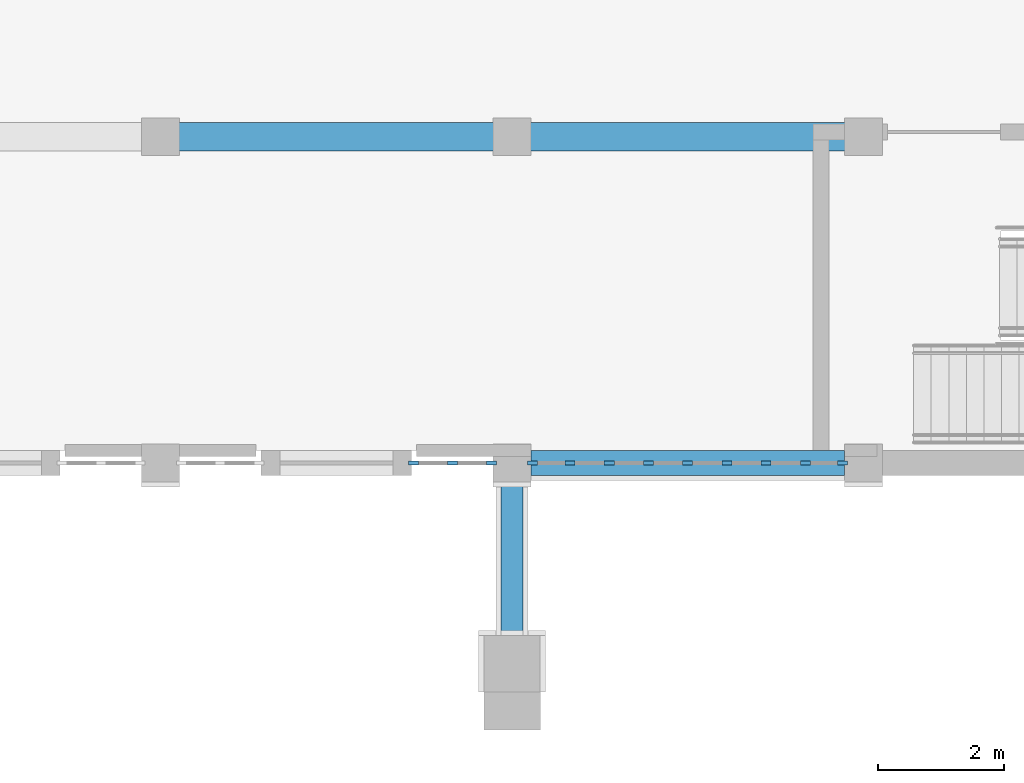
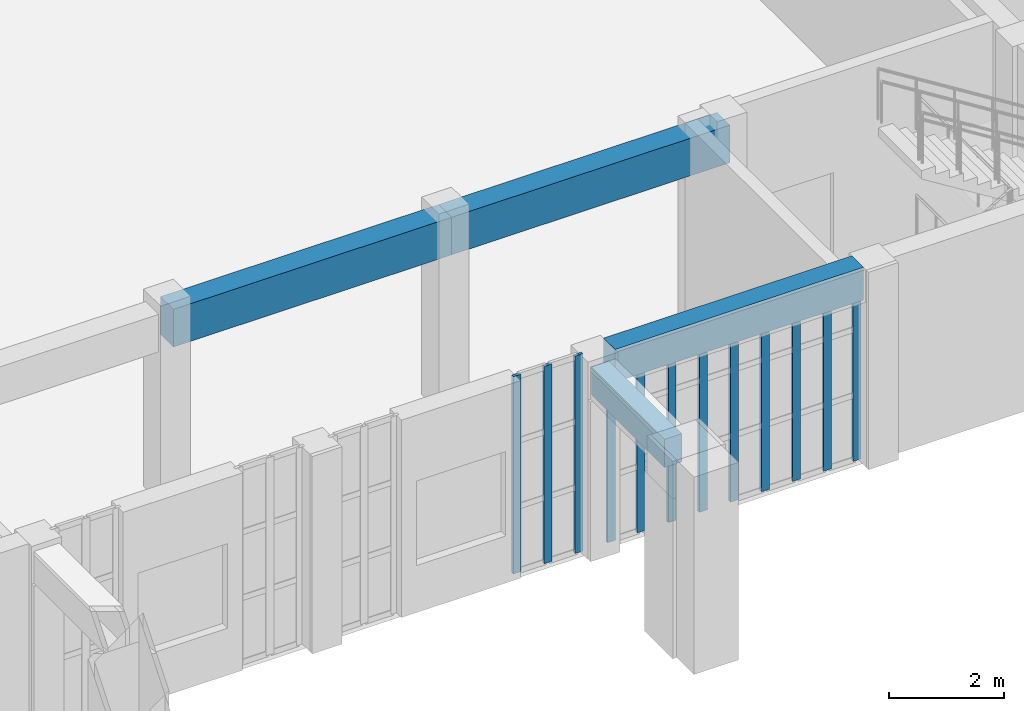
# One storey, part 31 of 99: 12 members, 4 beams, 2 elements without a shape of their own.
"""IFC4 building model written with IfcOpenShell, lengths in metres."""

import ifcopenshell
import ifcopenshell.guid

model = None  # the IFC model being written
_history = None  # IfcOwnerHistory: only IFC2X3 demands one
_inside = {}  # id of a spatial element -> (the spatial element, [elements in it])
_under = {}  # id of a project, library or spatial element -> (it, [spatial elements below it])
_declared = {}  # id of a project -> (the project, [libraries it declares])
_typed = {}  # id of a type object -> (the type object, [elements of that type])
_made_of = {}  # id of a material, layer set ... -> (it, [elements and type objects made of it])


def new_model(schema):
    """Start an empty IFC model of exactly this schema.

    Asked for "IFC4X3", IfcOpenShell would pick the latest addendum, in which some entities
    have other attributes; the version numbers below select the first issue.
    IFC2X3 requires an IfcOwnerHistory on every rooted entity: one is made here for all.
    """
    global model, _history
    if schema == "IFC4X3":
        model = ifcopenshell.file(schema_version=(4, 3, 0, 0))
    else:
        model = ifcopenshell.file(schema=schema)
    _inside.clear()
    _under.clear()
    _declared.clear()
    _typed.clear()
    _made_of.clear()
    _history = None
    if model.schema == "IFC2X3":
        org = make("IfcOrganization", Name="unknown")
        user = make(
            "IfcPersonAndOrganization",
            ThePerson=make("IfcPerson", FamilyName="unknown"),
            TheOrganization=org,
        )
        app = make(
            "IfcApplication",
            ApplicationDeveloper=org,
            Version="unknown",
            ApplicationFullName="unknown",
            ApplicationIdentifier="unknown",
        )
        _history = make(
            "IfcOwnerHistory",
            OwningUser=user,
            OwningApplication=app,
            ChangeAction="ADDED",
            CreationDate=0,
        )
    return model


def make(cls, **values):
    """One entity of the class cls with the attributes given. An attribute that is None is left unset."""
    return model.create_entity(
        cls, **{name: value for name, value in values.items() if value is not None}
    )


def rooted(cls, **values):
    """An entity with a GlobalId (a new one), such as an element, a storey or a relation."""
    return make(cls, GlobalId=ifcopenshell.guid.new(), OwnerHistory=_history, **values)


def si_unit(unit_type, name, prefix=None):
    """IfcSIUnit, for example si_unit("LENGTHUNIT", "METRE", prefix="MILLI")."""
    return make("IfcSIUnit", UnitType=unit_type, Prefix=prefix, Name=name)


def assignment(units):
    """IfcUnitAssignment: the units of a project."""
    return None if units is None else make("IfcUnitAssignment", Units=units)


def point(xyz):
    """IfcCartesianPoint."""
    return None if xyz is None else make("IfcCartesianPoint", Coordinates=xyz)


def direction(xyz):
    """IfcDirection."""
    return None if xyz is None else make("IfcDirection", DirectionRatios=xyz)


def frame(location, z_axis=None, x_axis=None):
    """IfcAxis2Placement3D, a coordinate frame: its origin and axes. An axis left out is left unset."""
    return make(
        "IfcAxis2Placement3D",
        Location=point(location),
        Axis=direction(z_axis),
        RefDirection=direction(x_axis),
    )


def frame_2d(location, x_axis=None):
    """IfcAxis2Placement2D, a coordinate frame in the plane: its origin and x axis."""
    return make(
        "IfcAxis2Placement2D", Location=point(location), RefDirection=direction(x_axis)
    )


def origin():
    """The frame at (0, 0, 0) with its axes left unset."""
    return frame((0.0, 0.0, 0.0))


def origin_2d():
    """The frame at (0, 0) in the plane with its x axis left unset."""
    return frame_2d((0.0, 0.0))


def place(relative_to, where):
    """IfcLocalPlacement: puts the frame where relative to a parent placement (None: the world)."""
    return make(
        "IfcLocalPlacement", PlacementRelTo=relative_to, RelativePlacement=where
    )


def context(
    kind, dimensions, precision=None, world=None, true_north=None, identifier=None
):
    """IfcGeometricRepresentationContext, for example the 3D "Model" context."""
    return make(
        "IfcGeometricRepresentationContext",
        ContextIdentifier=identifier,
        ContextType=kind,
        CoordinateSpaceDimension=dimensions,
        Precision=precision,
        WorldCoordinateSystem=world,
        TrueNorth=true_north,
    )


def subcontext(parent, identifier, kind, view, scale=None):
    """IfcGeometricRepresentationSubContext, for example "Body" below "Model"."""
    return make(
        "IfcGeometricRepresentationSubContext",
        ContextIdentifier=identifier,
        ContextType=kind,
        ParentContext=parent,
        TargetScale=scale,
        TargetView=view,
    )


def project(units=None, contexts=None):
    """IfcProject with its units and contexts."""
    return rooted(
        "IfcProject",
        Name="project",
        RepresentationContexts=contexts,
        UnitsInContext=assignment(units),
    )


def spatial(cls, under=None, at=None, **own):
    """A site, building, storey or space (cls), placed at a placement, below another one or the project."""
    s = rooted(cls, ObjectPlacement=at, **own)
    if under is not None:
        _under.setdefault(under.id(), (under, []))[1].append(s)
    return s


def profile(cls, at=None, kind="AREA", **sizes):
    """A parametric profile (cls). Its sizes go by their IFC names, for example OverallWidth=200.0."""
    return make(cls, ProfileType=kind, Position=at, **sizes)


def rectangle(**sizes):
    """IfcRectangleProfileDef."""
    return profile("IfcRectangleProfileDef", **sizes)


def extrude(swept, where, along, depth):
    """IfcExtrudedAreaSolid: the profile swept, set in the frame where, extruded along a direction by depth."""
    return make(
        "IfcExtrudedAreaSolid",
        SweptArea=swept,
        Position=where,
        ExtrudedDirection=direction(along),
        Depth=depth,
    )


def shape(context_of_items, identifier, shape_type, items):
    """IfcShapeRepresentation: the items that make up one representation, for example the "Body"."""
    return make(
        "IfcShapeRepresentation",
        ContextOfItems=context_of_items,
        RepresentationIdentifier=identifier,
        RepresentationType=shape_type,
        Items=items,
    )


def material(Name=None, Category=None):
    """IfcMaterial."""
    return make("IfcMaterial", Name=Name, Category=Category)


def layer(
    of_material, thickness, ventilated=None, Name=None, Category=None, Priority=None
):
    """IfcMaterialLayer: one layer of a wall or slab, of a material (None: an air gap)."""
    return make(
        "IfcMaterialLayer",
        Material=of_material,
        LayerThickness=thickness,
        IsVentilated=ventilated,
        Name=Name,
        Category=Category,
        Priority=Priority,
    )


def layer_set(layers, Name=None):
    """IfcMaterialLayerSet."""
    return make("IfcMaterialLayerSet", MaterialLayers=layers, LayerSetName=Name)


def material_profile(
    of_material, cross_section, Name=None, Category=None, Priority=None
):
    """IfcMaterialProfile: a cross section and its material."""
    return make(
        "IfcMaterialProfile",
        Name=Name,
        Material=of_material,
        Profile=cross_section,
        Priority=Priority,
        Category=Category,
    )


def profile_set(profiles, Name=None, composite=None):
    """IfcMaterialProfileSet."""
    return make(
        "IfcMaterialProfileSet",
        Name=Name,
        MaterialProfiles=profiles,
        CompositeProfile=composite,
    )


def made_of(thing, what):
    """Note that an element or type object is made of a material, layer set ...; save() writes the relation."""
    if what is not None:
        _made_of.setdefault(what.id(), (what, []))[1].append(thing)
    return thing


def type_object(cls, material=None, **own):
    """A type object (cls), such as IfcWallType, which elements share."""
    return made_of(rooted(cls, **own), material)


def element(
    cls,
    number,
    at=None,
    inside=None,
    cuts=None,
    type_object=None,
    material=None,
    context=None,
    identifier="Body",
    shape_type=None,
    held_by="IfcProductDefinitionShape",
    body=None,
    shapes=None,
    **own,
):
    """One element of the class cls, such as IfcWall. Its Tag is "e" and its number.

    at: its placement. inside: the storey or other place that contains it. cuts: it is an
    opening in that element (IfcRelVoidsElement). A single representation is given by context,
    identifier, shape_type and body (its items); several are given by shapes. held_by: the class
    of the entity that holds the representations. save() writes the other relations.
    """
    e = rooted(cls, Tag="e%d" % number, ObjectPlacement=at, **own)
    if body is not None:
        shapes = [shape(context, identifier, shape_type, body)]
    if shapes is not None:
        e.Representation = make(held_by, Representations=shapes)
    if inside is not None:
        _inside.setdefault(inside.id(), (inside, []))[1].append(e)
    if cuts is not None:
        rooted(
            "IfcRelVoidsElement", RelatingBuildingElement=cuts, RelatedOpeningElement=e
        )
    if type_object is not None:
        _typed.setdefault(type_object.id(), (type_object, []))[1].append(e)
    return made_of(e, material)


def aggregate(whole, parts):
    """IfcRelAggregates: a whole, such as a stair, and the parts it consists of."""
    return rooted("IfcRelAggregates", RelatingObject=whole, RelatedObjects=parts)


def save(model, path):
    """Write the relations noted so far, then the file.

    IfcRelAggregates (storeys below a building ...), IfcRelContainedInSpatialStructure (elements
    in a storey), IfcRelDefinesByType, IfcRelAssociatesMaterial and IfcRelDeclares: one each for
    every whole, place, type object, material and project.
    """
    for whole, parts in _under.values():
        aggregate(whole, parts)
    for where, things in _inside.values():
        rooted(
            "IfcRelContainedInSpatialStructure",
            RelatedElements=things,
            RelatingStructure=where,
        )
    for kind, things in _typed.values():
        rooted("IfcRelDefinesByType", RelatedObjects=things, RelatingType=kind)
    for what, things in _made_of.values():
        rooted("IfcRelAssociatesMaterial", RelatedObjects=things, RelatingMaterial=what)
    for by, libraries in _declared.values():
        rooted("IfcRelDeclares", RelatingContext=by, RelatedDefinitions=libraries)
    model.write(path)


model = new_model("IFC4")

# Units and contexts
model_context = context("Model", 3, precision=1e-05, world=origin(), true_north=direction((0.0, 1.0)))
body_context = subcontext(model_context, "Body", "Model", "MODEL_VIEW")
ifc_project = project(units=[si_unit("LENGTHUNIT", "METRE"), si_unit("AREAUNIT", "SQUARE_METRE"), si_unit("VOLUMEUNIT", "CUBIC_METRE"), si_unit("PLANEANGLEUNIT", "RADIAN"), si_unit("MASSUNIT", "GRAM", prefix="KILO")], contexts=[model_context])

# Site, building, storey
site_placement = place(None, origin())
site = spatial("IfcSite", under=ifc_project, at=site_placement, CompositionType="ELEMENT")
building_placement = place(site_placement, origin())
building = spatial("IfcBuilding", under=site, at=building_placement, Name="Wasatch Bagh Community Centre", CompositionType="ELEMENT")
storey_placement = place(building_placement, frame((0.0, 0.0, 4.199951171875)))
storey = spatial("IfcBuildingStorey", under=building, at=storey_placement, Name="L01", CompositionType="ELEMENT", Elevation=4.199951171875)

# Beams
ifc_material_1 = material(Name="Concrete C35", Category="concrete")
ifc_material_profile_1 = material_profile(ifc_material_1, rectangle(XDim=0.35009765625, YDim=0.60009765625, at=origin_2d()), Name="RC 350x600")
ifc_profile_set_1 = profile_set([ifc_material_profile_1], Name="Concrete C35")
beam_type_1 = type_object("IfcBeamType", Name="CL-B4", PredefinedType="BEAM", material=ifc_profile_set_1)
beam_1_placement = place(storey_placement, frame((134.60009765625, 38.0, 3.699951171875), z_axis=(0.0, -1.0, 0.0), x_axis=(1.0, 0.0, 0.0)))
element("IfcBeam", 1, at=beam_1_placement, inside=storey, type_object=beam_type_1, Name="CL-B4 tie SHP2.2", PredefinedType="BEAM", context=body_context, shape_type="SweptSolid", body=[
    extrude(rectangle(XDim=0.35009765625, YDim=0.60009765625, at=origin_2d()), origin(), (0.0, 0.0, 1.0), 2.550048828125),
])
ifc_material_profile_2 = material_profile(ifc_material_1, rectangle(XDim=0.39990234375, YDim=0.699951171875, at=origin_2d()), Name="RC 400x700")
ifc_profile_set_2 = profile_set([ifc_material_profile_2], Name="Concrete C35")
beam_type_2 = type_object("IfcBeamType", Name="SH RC 400x700 beam", PredefinedType="BEAM", material=ifc_profile_set_2)
beam_2_placement = place(storey_placement, frame((134.89990234375, 38.199951171875, 3.85009765625), z_axis=(1.0, 0.0, 0.0), x_axis=(0.0, 1.0, 0.0)))
element("IfcBeam", 2, at=beam_2_placement, inside=storey, type_object=beam_type_2, Name="SH.beam.L01.xfer5", PredefinedType="BEAM", context=body_context, shape_type="SweptSolid", body=[
    extrude(rectangle(XDim=0.39990234375, YDim=0.699951171875, at=origin_2d()), origin(), (0.0, 0.0, 1.0), 5.0),
])
ifc_material_profile_3 = material_profile(ifc_material_1, rectangle(XDim=0.449951171875, YDim=0.800048828125, at=origin_2d()), Name="RC 450x800")
ifc_profile_set_3 = profile_set([ifc_material_profile_3], Name="Concrete C35")
beam_type_3 = type_object("IfcBeamType", Name="SH RC 450x800 beam", PredefinedType="BEAM", material=ifc_profile_set_3)
beam_3_placement = place(storey_placement, frame((129.0, 43.39990234375, 3.580078125), z_axis=(1.0, 0.0, 0.0), x_axis=(0.0, 1.0, 0.0)))
element("IfcBeam", 3, at=beam_3_placement, inside=storey, type_object=beam_type_3, Name="SH.beam.L01.gal3", PredefinedType="BEAM", context=body_context, shape_type="SweptSolid", body=[
    extrude(rectangle(XDim=0.449951171875, YDim=0.800048828125, at=origin_2d()), origin(), (0.0, 0.0, 1.0), 5.60009765625),
])
beam_4_placement = place(storey_placement, frame((134.60009765625, 43.39990234375, 3.580078125), z_axis=(1.0, 0.0, 0.0), x_axis=(0.0, 1.0, 0.0)))
element("IfcBeam", 4, at=beam_4_placement, inside=storey, type_object=beam_type_3, Name="SH.beam.L01.gal4", PredefinedType="BEAM", context=body_context, shape_type="SweptSolid", body=[
    extrude(rectangle(XDim=0.449951171875, YDim=0.800048828125, at=origin_2d()), origin(), (0.0, 0.0, 1.0), 5.599853515625),
])

# Curtain wall, members
ifc_material_2 = material(Name="Aluminium alloy 6063-T6", Category="aluminium")
ifc_layer = layer(ifc_material_2, 0.10009765625)
ifc_layer_set = layer_set([ifc_layer], Name="Aluminium alloy 6063-T6")
curtain_wall_type = type_object("IfcCurtainWallType", Name="SH-CW1", PredefinedType="NOTDEFINED", material=ifc_layer_set)
curtain_wall_1_placement = place(storey_placement, origin())
curtain_wall_1 = element("IfcCurtainWall", 5, at=curtain_wall_1_placement, inside=storey, type_object=curtain_wall_type, Name="Curtain wall SH-CW1", PredefinedType="NOTDEFINED")
ifc_material_profile_4 = material_profile(ifc_material_2, rectangle(XDim=0.06005859375, YDim=0.159912109375, at=origin_2d()), Name="AL 60x160")
ifc_profile_set_4 = profile_set([ifc_material_profile_4], Name="Aluminium alloy 6063-T6")
member_type = type_object("IfcMemberType", Name="SH-CW1 mullion", PredefinedType="MULLION", material=ifc_profile_set_4)
member_1_placement = place(storey_placement, frame((133.030029296875, 38.199951171875, 0.0), z_axis=(0.0, 0.0, 1.0), x_axis=(0.0, 1.0, 0.0)))
member_1 = element("IfcMember", 6, at=member_1_placement, type_object=member_type, Name="SH-CW1 mullion 1", PredefinedType="MULLION", context=body_context, shape_type="SweptSolid", body=[
    extrude(rectangle(XDim=0.06005859375, YDim=0.159912109375, at=origin_2d()), origin(), (0.0, 0.0, 1.0), 4.199951171875),
])
member_2_placement = place(storey_placement, frame((133.64990234375, 38.199951171875, 0.0), z_axis=(0.0, 0.0, 1.0), x_axis=(0.0, 1.0, 0.0)))
member_2 = element("IfcMember", 7, at=member_2_placement, type_object=member_type, Name="SH-CW1 mullion 2", PredefinedType="MULLION", context=body_context, shape_type="SweptSolid", body=[
    extrude(rectangle(XDim=0.06005859375, YDim=0.159912109375, at=origin_2d()), origin(), (0.0, 0.0, 1.0), 4.199951171875),
])
member_3_placement = place(storey_placement, frame((134.27001953125, 38.199951171875, 0.0), z_axis=(0.0, 0.0, 1.0), x_axis=(0.0, 1.0, 0.0)))
member_3 = element("IfcMember", 8, at=member_3_placement, type_object=member_type, Name="SH-CW1 mullion 3", PredefinedType="MULLION", context=body_context, shape_type="SweptSolid", body=[
    extrude(rectangle(XDim=0.06005859375, YDim=0.159912109375, at=origin_2d()), origin(), (0.0, 0.0, 1.0), 4.199951171875),
])
aggregate(curtain_wall_1, [member_1, member_2, member_3])

curtain_wall_2_placement = place(storey_placement, origin())
curtain_wall_2 = element("IfcCurtainWall", 9, at=curtain_wall_2_placement, inside=storey, type_object=curtain_wall_type, Name="Curtain wall SH-CW1", PredefinedType="NOTDEFINED")
member_4_placement = place(storey_placement, frame((134.929931640625, 38.199951171875, 0.0), z_axis=(0.0, 0.0, 1.0), x_axis=(0.0, 1.0, 0.0)))
member_4 = element("IfcMember", 10, at=member_4_placement, type_object=member_type, Name="SH-CW1 mullion 1", PredefinedType="MULLION", context=body_context, shape_type="SweptSolid", body=[
    extrude(rectangle(XDim=0.06005859375, YDim=0.159912109375, at=origin_2d()), origin(), (0.0, 0.0, 1.0), 3.5),
])
member_5_placement = place(storey_placement, frame((135.52490234375, 38.199951171875, 0.0), z_axis=(0.0, 0.0, 1.0), x_axis=(0.0, 1.0, 0.0)))
member_5 = element("IfcMember", 11, at=member_5_placement, type_object=member_type, Name="SH-CW1 mullion 2", PredefinedType="MULLION", context=body_context, shape_type="SweptSolid", body=[
    extrude(rectangle(XDim=0.06005859375, YDim=0.159912109375, at=origin_2d()), origin(), (0.0, 0.0, 1.0), 3.5),
])
member_6_placement = place(storey_placement, frame((136.14990234375, 38.199951171875, 0.0), z_axis=(0.0, 0.0, 1.0), x_axis=(0.0, 1.0, 0.0)))
member_6 = element("IfcMember", 12, at=member_6_placement, type_object=member_type, Name="SH-CW1 mullion 3", PredefinedType="MULLION", context=body_context, shape_type="SweptSolid", body=[
    extrude(rectangle(XDim=0.06005859375, YDim=0.159912109375, at=origin_2d()), origin(), (0.0, 0.0, 1.0), 3.5),
])
member_7_placement = place(storey_placement, frame((136.77490234375, 38.199951171875, 0.0), z_axis=(0.0, 0.0, 1.0), x_axis=(0.0, 1.0, 0.0)))
member_7 = element("IfcMember", 13, at=member_7_placement, type_object=member_type, Name="SH-CW1 mullion 4", PredefinedType="MULLION", context=body_context, shape_type="SweptSolid", body=[
    extrude(rectangle(XDim=0.06005859375, YDim=0.159912109375, at=origin_2d()), origin(), (0.0, 0.0, 1.0), 3.5),
])
member_8_placement = place(storey_placement, frame((137.39990234375, 38.199951171875, 0.0), z_axis=(0.0, 0.0, 1.0), x_axis=(0.0, 1.0, 0.0)))
member_8 = element("IfcMember", 14, at=member_8_placement, type_object=member_type, Name="SH-CW1 mullion 5", PredefinedType="MULLION", context=body_context, shape_type="SweptSolid", body=[
    extrude(rectangle(XDim=0.06005859375, YDim=0.159912109375, at=origin_2d()), origin(), (0.0, 0.0, 1.0), 3.5),
])
member_9_placement = place(storey_placement, frame((138.02490234375, 38.199951171875, 0.0), z_axis=(0.0, 0.0, 1.0), x_axis=(0.0, 1.0, 0.0)))
member_9 = element("IfcMember", 15, at=member_9_placement, type_object=member_type, Name="SH-CW1 mullion 6", PredefinedType="MULLION", context=body_context, shape_type="SweptSolid", body=[
    extrude(rectangle(XDim=0.06005859375, YDim=0.159912109375, at=origin_2d()), origin(), (0.0, 0.0, 1.0), 3.5),
])
member_10_placement = place(storey_placement, frame((138.64990234375, 38.199951171875, 0.0), z_axis=(0.0, 0.0, 1.0), x_axis=(0.0, 1.0, 0.0)))
member_10 = element("IfcMember", 16, at=member_10_placement, type_object=member_type, Name="SH-CW1 mullion 7", PredefinedType="MULLION", context=body_context, shape_type="SweptSolid", body=[
    extrude(rectangle(XDim=0.06005859375, YDim=0.159912109375, at=origin_2d()), origin(), (0.0, 0.0, 1.0), 3.5),
])
member_11_placement = place(storey_placement, frame((139.27490234375, 38.199951171875, 0.0), z_axis=(0.0, 0.0, 1.0), x_axis=(0.0, 1.0, 0.0)))
member_11 = element("IfcMember", 17, at=member_11_placement, type_object=member_type, Name="SH-CW1 mullion 8", PredefinedType="MULLION", context=body_context, shape_type="SweptSolid", body=[
    extrude(rectangle(XDim=0.06005859375, YDim=0.159912109375, at=origin_2d()), origin(), (0.0, 0.0, 1.0), 3.5),
])
member_12_placement = place(storey_placement, frame((139.8701171875, 38.199951171875, 0.0), z_axis=(0.0, 0.0, 1.0), x_axis=(0.0, 1.0, 0.0)))
member_12 = element("IfcMember", 18, at=member_12_placement, type_object=member_type, Name="SH-CW1 mullion 9", PredefinedType="MULLION", context=body_context, shape_type="SweptSolid", body=[
    extrude(rectangle(XDim=0.06005859375, YDim=0.159912109375, at=origin_2d()), origin(), (0.0, 0.0, 1.0), 3.5),
])
aggregate(curtain_wall_2, [member_4, member_5, member_6, member_7, member_8, member_9, member_10, member_11, member_12])

save(model, "model.ifc")
